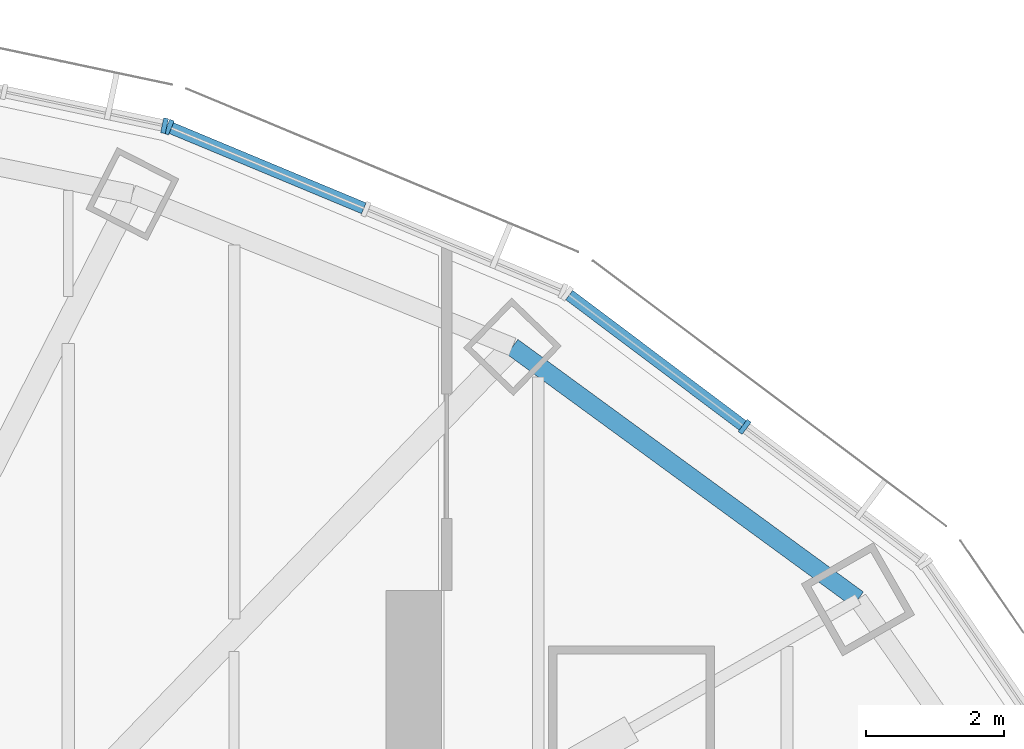
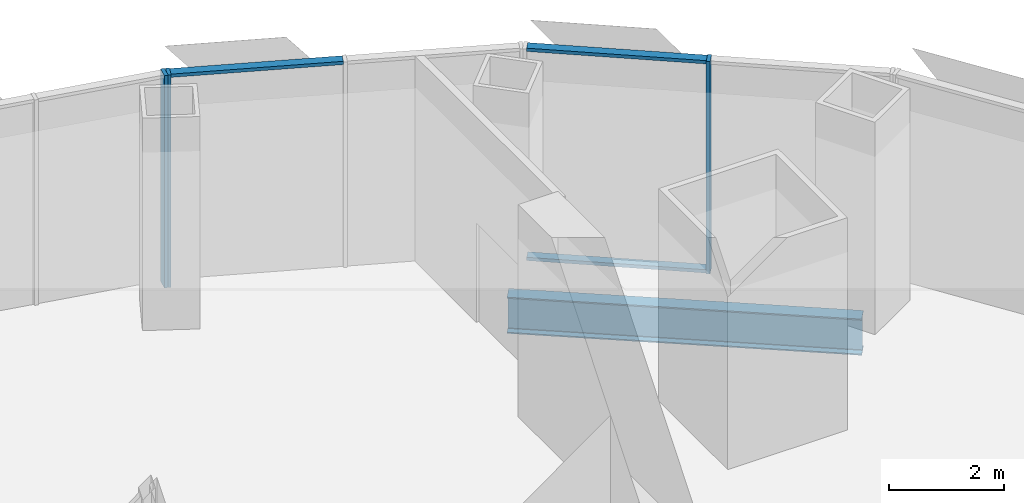
# One storey, part 8 of 15: 6 members, 1 beam, 3 elements without a shape of their own.
"""IFC4 building model written with IfcOpenShell, lengths in metres."""

from ifc_helpers import new_model, si_unit, direction, frame, origin, origin_2d, place, context, subcontext, project, spatial, rectangle, i_section, extrude, material, material_profile, profile_set, type_object, element, aggregate, save


model = new_model("IFC4")

# Units and contexts
model_context = context("Model", 3, precision=1e-05, world=origin(), true_north=direction((0.0, 1.0)))
body_context = subcontext(model_context, "Body", "Model", "MODEL_VIEW")
ifc_project = project(units=[si_unit("LENGTHUNIT", "METRE"), si_unit("AREAUNIT", "SQUARE_METRE"), si_unit("VOLUMEUNIT", "CUBIC_METRE"), si_unit("PLANEANGLEUNIT", "RADIAN"), si_unit("MASSUNIT", "GRAM", prefix="KILO")], contexts=[model_context])

# Site, building, storey
site_placement = place(None, origin())
site = spatial("IfcSite", under=ifc_project, at=site_placement, CompositionType="ELEMENT")
building_placement = place(site_placement, origin())
building = spatial("IfcBuilding", under=site, at=building_placement, Name="Lantaw Convention Tower", CompositionType="ELEMENT")
storey_placement = place(building_placement, frame((0.0, 0.0, 274.89990234375)))
storey = spatial("IfcBuildingStorey", under=building, at=storey_placement, Name="L64", CompositionType="ELEMENT", Elevation=274.89990234375)

# Beam
ifc_material_1 = material(Name="Steel ASTM A992", Category="steel")
ifc_material_profile_1 = material_profile(ifc_material_1, i_section(OverallWidth=0.2666015625, OverallDepth=0.76953125, WebThickness=0.015625, FlangeThickness=0.025390625, FilletRadius=0.0126953125, at=origin_2d()), Name="W30X132")
ifc_profile_set_1 = profile_set([ifc_material_profile_1], Name="Steel ASTM A992")
beam_type = type_object("IfcBeamType", Name="Beam E W30X132", PredefinedType="SPANDREL", material=ifc_profile_set_1)
beam_placement = place(storey_placement, frame((19.02685546875, 10.87255859375, -0.53466796875), z_axis=(-0.807371616826, 0.59004328006, 0.0), x_axis=(-0.59004328006, -0.807371616826, 0.0)))
element("IfcBeam", 1, at=beam_placement, inside=storey, type_object=beam_type, Name="Edge beam 3", PredefinedType="SPANDREL", context=body_context, shape_type="SweptSolid", body=[
    extrude(i_section(OverallWidth=0.2666015625, OverallDepth=0.76953125, WebThickness=0.015625, FlangeThickness=0.025390625, FilletRadius=0.0126953125, at=origin_2d()), origin(), (0.0, 0.0, 1.0), 6.192138671875),
])

# Curtain wall, member
ifc_material_2 = material(Name="Aluminium framed curtain wall", Category="aluminium")
curtain_wall_type = type_object("IfcCurtainWallType", Name="Executive floors curtain wall, pale aluminium", PredefinedType="USERDEFINED", material=ifc_material_2)
curtain_wall_1_placement = place(storey_placement, origin())
curtain_wall_1 = element("IfcCurtainWall", 2, at=curtain_wall_1_placement, inside=storey, type_object=curtain_wall_type, Name="Executive floors curtain wall, pale aluminium L64", ObjectType="UNITISED CURTAIN WALL", PredefinedType="USERDEFINED")
ifc_material_3 = material(Name="Aluminium 6063-T6", Category="aluminium")
ifc_material_profile_2 = material_profile(ifc_material_3, rectangle(XDim=0.219970703125, YDim=0.070068359375, at=origin_2d()), Name="CW-T mullion 70x220")
ifc_profile_set_2 = profile_set([ifc_material_profile_2], Name="Aluminium 6063-T6")
member_type_1 = type_object("IfcMemberType", Name="CW-T mullion 70x220", PredefinedType="MULLION", material=ifc_profile_set_2)
member_1_placement = place(storey_placement, frame((17.386962890625, 13.367919921875, -0.14990234375), z_axis=(0.0, 0.0, 1.0), x_axis=(-0.600642756762, -0.799517528732, 0.0)))
member_1 = element("IfcMember", 3, at=member_1_placement, type_object=member_type_1, Name="CW-T mullion 2", PredefinedType="MULLION", context=body_context, shape_type="SweptSolid", body=[
    extrude(rectangle(XDim=0.219970703125, YDim=0.070068359375, at=origin_2d()), origin(), (0.0, 0.0, 1.0), 4.5),
])

curtain_wall_2_placement = place(storey_placement, origin())
curtain_wall_2 = element("IfcCurtainWall", 4, at=curtain_wall_2_placement, inside=storey, type_object=curtain_wall_type, Name="Executive floors curtain wall, pale aluminium L64", ObjectType="UNITISED CURTAIN WALL", PredefinedType="USERDEFINED")
member_2_placement = place(storey_placement, frame((9.06005859375, 17.70458984375, -0.14990234375), z_axis=(0.0, 0.0, 1.0), x_axis=(-0.384459697924, -0.923141777124, 0.0)))
member_2 = element("IfcMember", 5, at=member_2_placement, type_object=member_type_1, Name="CW-T mullion 3", PredefinedType="MULLION", context=body_context, shape_type="SweptSolid", body=[
    extrude(rectangle(XDim=0.219970703125, YDim=0.070068359375, at=origin_2d()), origin(), (0.0, 0.0, 1.0), 4.5),
])

curtain_wall_3_placement = place(storey_placement, origin())
curtain_wall_3 = element("IfcCurtainWall", 6, at=curtain_wall_3_placement, inside=storey, type_object=curtain_wall_type, Name="Executive floors curtain wall, pale aluminium L64", ObjectType="UNITISED CURTAIN WALL", PredefinedType="USERDEFINED")
member_3_placement = place(storey_placement, frame((8.993408203125, 17.72509765625, -0.14990234375), z_axis=(0.0, 0.0, 1.0), x_axis=(-0.207039911975, -0.978332497083, 0.0)))
member_3 = element("IfcMember", 7, at=member_3_placement, type_object=member_type_1, Name="CW-T mullion 1", PredefinedType="MULLION", context=body_context, shape_type="SweptSolid", body=[
    extrude(rectangle(XDim=0.219970703125, YDim=0.070068359375, at=origin_2d()), origin(), (0.0, 0.0, 1.0), 4.5),
])
aggregate(curtain_wall_3, [member_3])

# Member
ifc_material_profile_3 = material_profile(ifc_material_3, rectangle(XDim=0.169921875, YDim=0.070068359375, at=origin_2d()), Name="CW-T transom 70x170")
ifc_profile_set_3 = profile_set([ifc_material_profile_3], Name="Aluminium 6063-T6")
member_type_2 = type_object("IfcMemberType", Name="CW-T transom 70x170", PredefinedType="USERDEFINED", material=ifc_profile_set_3)
member_4_placement = place(storey_placement, frame((17.35888671875, 13.388916015625, -0.114990234375), z_axis=(-0.799505333284, 0.600658989819, 0.0), x_axis=(-0.600658989819, -0.799505333284, 0.0)))
member_4 = element("IfcMember", 8, at=member_4_placement, type_object=member_type_2, Name="CW-T transom 2.1", ObjectType="TRANSOM", PredefinedType="USERDEFINED", context=body_context, shape_type="SweptSolid", body=[
    extrude(rectangle(XDim=0.169921875, YDim=0.070068359375, at=origin_2d()), origin(), (0.0, 0.0, 1.0), 3.140625),
])

member_5_placement = place(storey_placement, frame((17.35888671875, 13.388916015625, 4.315185546875), z_axis=(-0.799505333284, 0.600658989819, 0.0), x_axis=(-0.600658989819, -0.799505333284, 0.0)))
member_5 = element("IfcMember", 9, at=member_5_placement, type_object=member_type_2, Name="CW-T transom 2.2", ObjectType="TRANSOM", PredefinedType="USERDEFINED", context=body_context, shape_type="SweptSolid", body=[
    extrude(rectangle(XDim=0.169921875, YDim=0.070068359375, at=origin_2d()), origin(), (0.0, 0.0, 1.0), 3.140625),
])

aggregate(curtain_wall_1, [member_1, member_4, member_5])

member_6_placement = place(storey_placement, frame((11.87744140625, 16.531005859375, 4.315185546875), z_axis=(-0.923143943999, 0.384454494911, 0.0), x_axis=(-0.384454494911, -0.923143943999, 0.0)))
member_6 = element("IfcMember", 10, at=member_6_placement, type_object=member_type_2, Name="CW-T transom 2.2", ObjectType="TRANSOM", PredefinedType="USERDEFINED", context=body_context, shape_type="SweptSolid", body=[
    extrude(rectangle(XDim=0.169921875, YDim=0.070068359375, at=origin_2d()), origin(), (0.0, 0.0, 1.0), 3.01708984375),
])

aggregate(curtain_wall_2, [member_2, member_6])

save(model, "model.ifc")
